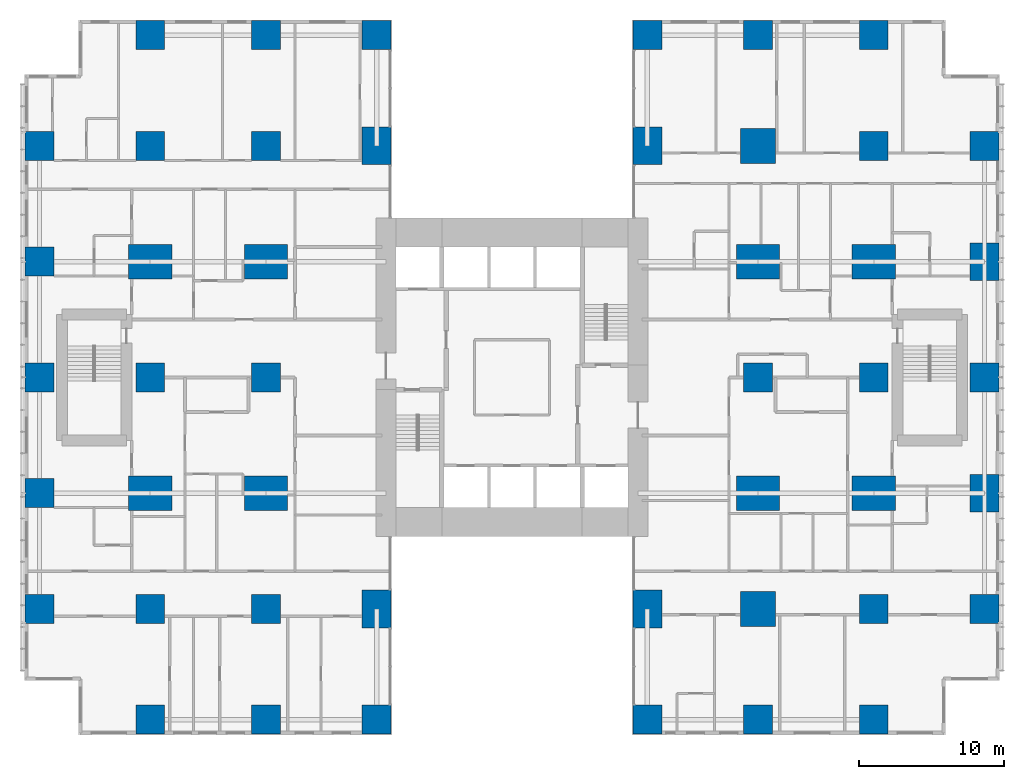
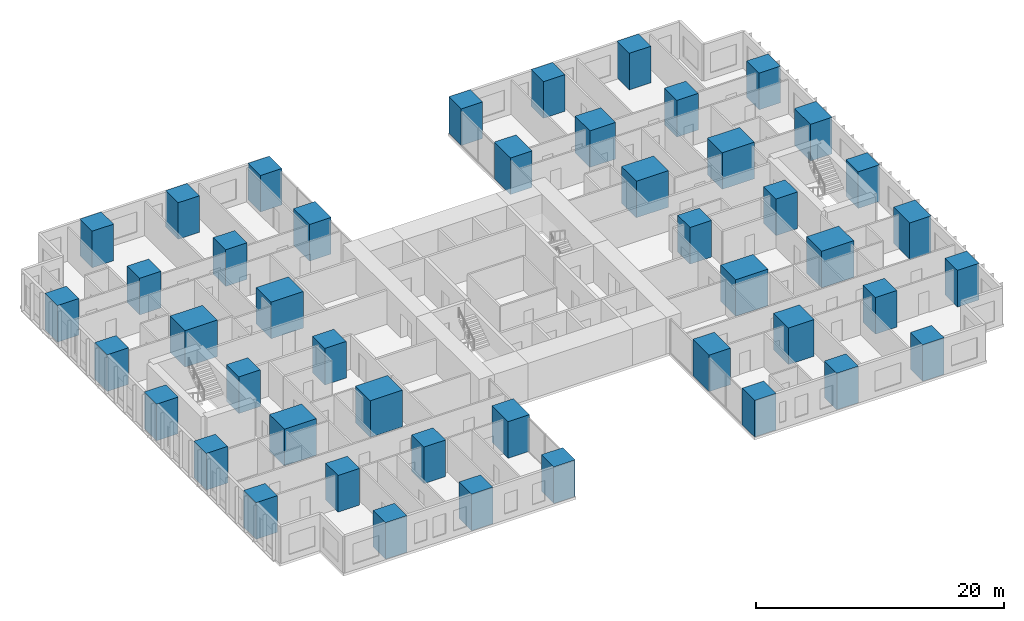
# One storey, part 1 of 20: 46 columns.
"""IFC4 building model written with IfcOpenShell, lengths in metres."""

from ifc_helpers import new_model, si_unit, direction, frame, origin, origin_2d, place, context, subcontext, project, spatial, rectangle, extrude, material, material_profile, profile_set, type_object, element, save


model = new_model("IFC4")

# Units and contexts
model_context = context("Model", 3, precision=1e-05, world=origin(), true_north=direction((0.0, 1.0)))
body_context = subcontext(model_context, "Body", "Model", "MODEL_VIEW")
ifc_project = project(units=[si_unit("LENGTHUNIT", "METRE"), si_unit("AREAUNIT", "SQUARE_METRE"), si_unit("VOLUMEUNIT", "CUBIC_METRE"), si_unit("PLANEANGLEUNIT", "RADIAN"), si_unit("MASSUNIT", "GRAM", prefix="KILO")], contexts=[model_context])

# Site, building, storey
site_placement = place(None, origin())
site = spatial("IfcSite", under=ifc_project, at=site_placement, CompositionType="ELEMENT")
building_placement = place(site_placement, origin())
building = spatial("IfcBuilding", under=site, at=building_placement, Name="Cleftline Residences", CompositionType="ELEMENT")
storey_placement = place(building_placement, frame((0.0, 0.0, 33.199951171875)))
storey = spatial("IfcBuildingStorey", under=building, at=storey_placement, Name="L07", CompositionType="ELEMENT", Elevation=33.199951171875)

# Columns
ifc_material_1 = material(Name="Concrete B70", Category="concrete")
ifc_material_profile_1 = material_profile(ifc_material_1, rectangle(XDim=2.0, YDim=2.0, at=origin_2d()))
ifc_profile_set_1 = profile_set([ifc_material_profile_1], Name="Concrete B70")
column_type_1 = type_object("IfcColumnType", Name="COLUMN RC2000X2000", PredefinedType="COLUMN", material=ifc_profile_set_1)
for number, where, z_axis, x_axis, name in (
    (1, (0.35009765625, 8.0, 0.0), (0.0, 0.0, 1.0), (1.0, 0.0, 0.0), "Column D/3"),
    (2, (0.35009765625, 16.0, 0.0), (0.0, 0.0, 1.0), (1.0, 0.0, 0.0), "Column E/3"),
    (3, (0.35009765625, 24.0, 0.0), (0.0, 0.0, 1.0), (1.0, 0.0, 0.0), "Column F/3"),
    (4, (0.35009765625, 32.0, 0.0), (0.0, 0.0, 1.0), (1.0, 0.0, 0.0), "Column G/3"),
    (5, (0.35009765625, 40.0, 0.0), (0.0, 0.0, 1.0), (1.0, 0.0, 0.0), "Column H/3"),
    (6, (8.0, 0.35009765625, 0.0), (0.0, 0.0, 1.0), (1.0, 0.0, 0.0), "Column C/4"),
    (7, (8.0, 8.0, 0.0), (0.0, 0.0, 1.0), (1.0, 0.0, 0.0), "Column D/4"),
    (8, (8.0, 24.0, 0.0), (0.0, 0.0, 1.0), (1.0, 0.0, 0.0), "Column F/4"),
    (9, (8.0, 40.0, 0.0), (0.0, 0.0, 1.0), (1.0, 0.0, 0.0), "Column H/4"),
    (10, (8.0, 47.64990234375, 0.0), (0.0, 0.0, 1.0), (1.0, 0.0, 0.0), "Column J/4"),
    (11, (16.0, 0.35009765625, 0.0), (0.0, 0.0, 1.0), (1.0, 0.0, 0.0), "Column C/5"),
    (12, (16.0, 8.0, 0.0), (0.0, 0.0, 1.0), (1.0, 0.0, 0.0), "Column D/5"),
    (13, (16.0, 24.0, 0.0), (0.0, 0.0, 1.0), (1.0, 0.0, 0.0), "Column F/5"),
    (14, (16.0, 40.0, 0.0), (0.0, 0.0, 1.0), (1.0, 0.0, 0.0), "Column H/5"),
    (15, (16.0, 47.64990234375, 0.0), (0.0, 0.0, 1.0), (1.0, 0.0, 0.0), "Column J/5"),
    (16, (23.64990234375, 0.35009765625, 0.0), (0.0, 0.0, 1.0), (1.0, 0.0, 0.0), "Column C/6"),
    (17, (23.64990234375, 47.64990234375, 0.0), (0.0, 0.0, 1.0), (1.0, 0.0, 0.0), "Column J/6"),
    (18, (42.35009765625, 0.35009765625, 0.0), (0.0, 0.0, 1.0), (1.0, 0.0, 0.0), "Column C/8"),
    (19, (42.35009765625, 47.64990234375, 0.0), (0.0, 0.0, 1.0), (1.0, 0.0, 0.0), "Column J/8"),
    (20, (50.0, 0.35009765625, 0.0), (0.0, 0.0, 1.0), (1.0, 0.0, 0.0), "Column C/9"),
    (21, (50.0, 24.0, 0.0), (0.0, 0.0, 1.0), (1.0, 0.0, 0.0), "Column F/9"),
    (22, (50.0, 47.64990234375, 0.0), (0.0, 0.0, 1.0), (1.0, 0.0, 0.0), "Column J/9"),
    (23, (58.0, 0.35009765625, 0.0), (0.0, 0.0, 1.0), (1.0, 0.0, 0.0), "Column C/10"),
    (24, (58.0, 8.0, 0.0), (0.0, 0.0, 1.0), (1.0, 0.0, 0.0), "Column D/10"),
    (25, (58.0, 24.0, 0.0), (0.0, 0.0, 1.0), (1.0, 0.0, 0.0), "Column F/10"),
    (26, (58.0, 40.0, 0.0), (0.0, 0.0, 1.0), (1.0, 0.0, 0.0), "Column H/10"),
    (27, (58.0, 47.64990234375, 0.0), (0.0, 0.0, 1.0), (1.0, 0.0, 0.0), "Column J/10"),
    (28, (65.64990234375, 8.0, 0.0), (0.0, 0.0, 1.0), (1.0, 0.0, 0.0), "Column D/11"),
    (29, (65.64990234375, 24.0, 0.0), (0.0, 0.0, 1.0), (1.0, 0.0, 0.0), "Column F/11"),
    (30, (65.64990234375, 40.0, 0.0), (0.0, 0.0, 1.0), (1.0, 0.0, 0.0), "Column H/11"),
):
    element("IfcColumn", number, at=place(storey_placement, frame(where, z_axis=z_axis, x_axis=x_axis)), inside=storey, type_object=column_type_1, Name=name, PredefinedType="COLUMN", context=body_context, shape_type="SweptSolid", body=[
        extrude(rectangle(XDim=2.0, YDim=2.0, at=origin_2d()), origin(), (0.0, 0.0, 1.0), 3.60009765625),
    ])
ifc_material_2 = material(Name="Concrete B70", Category="concrete")
ifc_material_profile_2 = material_profile(ifc_material_2, rectangle(XDim=2.0, YDim=2.60009765625, at=origin_2d()))
ifc_profile_set_2 = profile_set([ifc_material_profile_2], Name="Concrete B70")
column_type_2 = type_object("IfcColumnType", Name="COLUMN RC2000X2600", PredefinedType="COLUMN", material=ifc_profile_set_2)
for number, where, z_axis, x_axis, name in (
    (31, (23.64990234375, 8.0, 0.0), (0.0, 0.0, 1.0), (1.0, 0.0, 0.0), "Column D/6"),
    (32, (23.64990234375, 40.0, 0.0), (0.0, 0.0, 1.0), (1.0, 0.0, 0.0), "Column H/6"),
    (33, (42.35009765625, 8.0, 0.0), (0.0, 0.0, 1.0), (1.0, 0.0, 0.0), "Column D/8"),
    (34, (42.35009765625, 40.0, 0.0), (0.0, 0.0, 1.0), (1.0, 0.0, 0.0), "Column H/8"),
):
    element("IfcColumn", number, at=place(storey_placement, frame(where, z_axis=z_axis, x_axis=x_axis)), inside=storey, type_object=column_type_2, Name=name, PredefinedType="COLUMN", context=body_context, shape_type="SweptSolid", body=[
        extrude(rectangle(XDim=2.0, YDim=2.60009765625, at=origin_2d()), origin(), (0.0, 0.0, 1.0), 3.60009765625),
    ])
ifc_material_3 = material(Name="Concrete B70", Category="concrete")
ifc_material_profile_3 = material_profile(ifc_material_3, rectangle(XDim=2.39990234375, YDim=2.39990234375, at=origin_2d()))
ifc_profile_set_3 = profile_set([ifc_material_profile_3], Name="Concrete B70")
column_type_3 = type_object("IfcColumnType", Name="COLUMN RC2400X2400", PredefinedType="COLUMN", material=ifc_profile_set_3)
for number, where, z_axis, x_axis, name in (
    (35, (50.0, 8.0, 0.0), (0.0, 0.0, 1.0), (1.0, 0.0, 0.0), "Column D/9"),
    (36, (50.0, 40.0, 0.0), (0.0, 0.0, 1.0), (1.0, 0.0, 0.0), "Column H/9"),
):
    element("IfcColumn", number, at=place(storey_placement, frame(where, z_axis=z_axis, x_axis=x_axis)), inside=storey, type_object=column_type_3, Name=name, PredefinedType="COLUMN", context=body_context, shape_type="SweptSolid", body=[
        extrude(rectangle(XDim=2.39990234375, YDim=2.39990234375, at=origin_2d()), origin(), (0.0, 0.0, 1.0), 3.60009765625),
    ])
ifc_material_4 = material(Name="Concrete B70", Category="concrete")
ifc_material_profile_4 = material_profile(ifc_material_4, rectangle(XDim=2.60009765625, YDim=2.0, at=origin_2d()))
ifc_profile_set_4 = profile_set([ifc_material_profile_4], Name="Concrete B70")
column_type_4 = type_object("IfcColumnType", Name="COLUMN RC2600X2000", PredefinedType="COLUMN", material=ifc_profile_set_4)
for number, where, z_axis, x_axis, name in (
    (37, (65.64990234375, 16.0, 0.0), (0.0, 0.0, 1.0), (0.0, 1.0, 0.0), "Column E/11"),
    (38, (65.64990234375, 32.0, 0.0), (0.0, 0.0, 1.0), (0.0, 1.0, 0.0), "Column G/11"),
):
    element("IfcColumn", number, at=place(storey_placement, frame(where, z_axis=z_axis, x_axis=x_axis)), inside=storey, type_object=column_type_4, Name=name, PredefinedType="COLUMN", context=body_context, shape_type="SweptSolid", body=[
        extrude(rectangle(XDim=2.60009765625, YDim=2.0, at=origin_2d()), origin(), (0.0, 0.0, 1.0), 3.60009765625),
    ])
ifc_material_5 = material(Name="Concrete B70", Category="concrete")
ifc_material_profile_5 = material_profile(ifc_material_5, rectangle(XDim=3.0, YDim=2.39990234375, at=origin_2d()))
ifc_profile_set_5 = profile_set([ifc_material_profile_5], Name="Concrete B70")
column_type_5 = type_object("IfcColumnType", Name="COLUMN RC3000X2400", PredefinedType="COLUMN", material=ifc_profile_set_5)
for number, where, z_axis, x_axis, name in (
    (39, (8.0, 16.0, 0.0), (0.0, 0.0, 1.0), (1.0, 0.0, 0.0), "Column E/4"),
    (40, (8.0, 32.0, 0.0), (0.0, 0.0, 1.0), (1.0, 0.0, 0.0), "Column G/4"),
    (41, (16.0, 16.0, 0.0), (0.0, 0.0, 1.0), (1.0, 0.0, 0.0), "Column E/5"),
    (42, (16.0, 32.0, 0.0), (0.0, 0.0, 1.0), (1.0, 0.0, 0.0), "Column G/5"),
    (43, (50.0, 16.0, 0.0), (0.0, 0.0, 1.0), (1.0, 0.0, 0.0), "Column E/9"),
    (44, (50.0, 32.0, 0.0), (0.0, 0.0, 1.0), (1.0, 0.0, 0.0), "Column G/9"),
    (45, (58.0, 16.0, 0.0), (0.0, 0.0, 1.0), (1.0, 0.0, 0.0), "Column E/10"),
    (46, (58.0, 32.0, 0.0), (0.0, 0.0, 1.0), (1.0, 0.0, 0.0), "Column G/10"),
):
    element("IfcColumn", number, at=place(storey_placement, frame(where, z_axis=z_axis, x_axis=x_axis)), inside=storey, type_object=column_type_5, Name=name, PredefinedType="COLUMN", context=body_context, shape_type="SweptSolid", body=[
        extrude(rectangle(XDim=3.0, YDim=2.39990234375, at=origin_2d()), origin(), (0.0, 0.0, 1.0), 3.60009765625),
    ])

save(model, "model.ifc")
